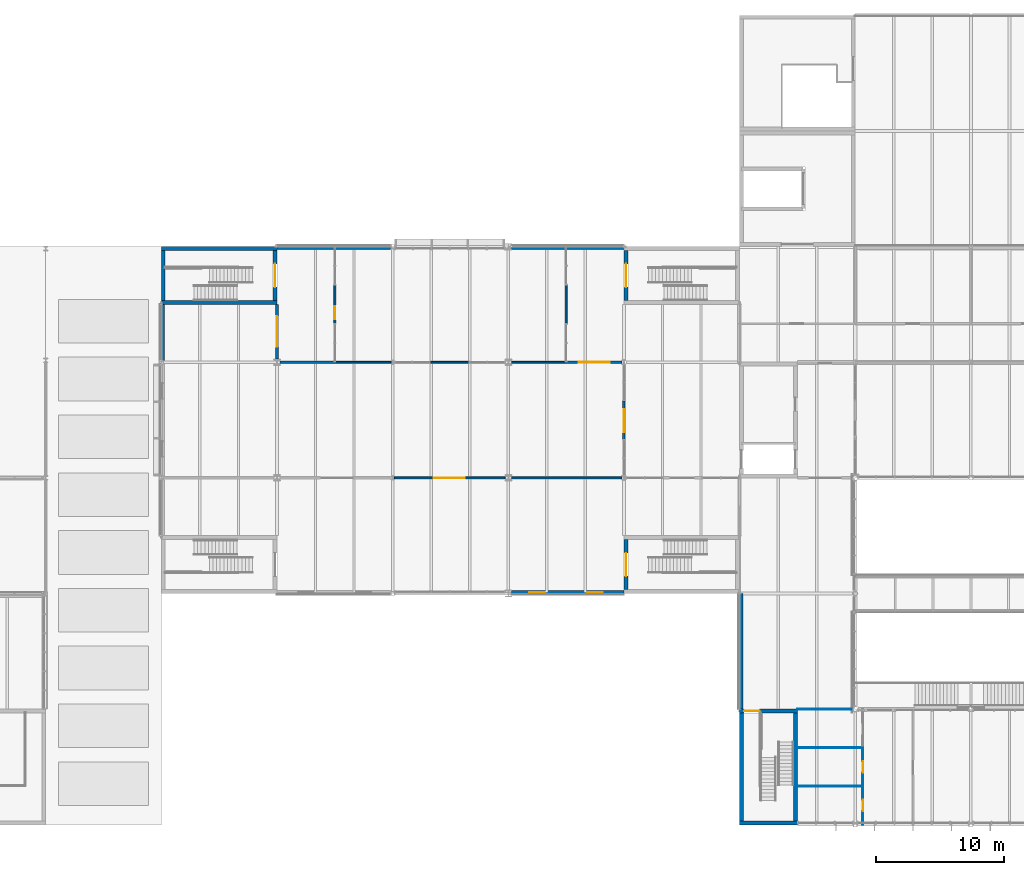
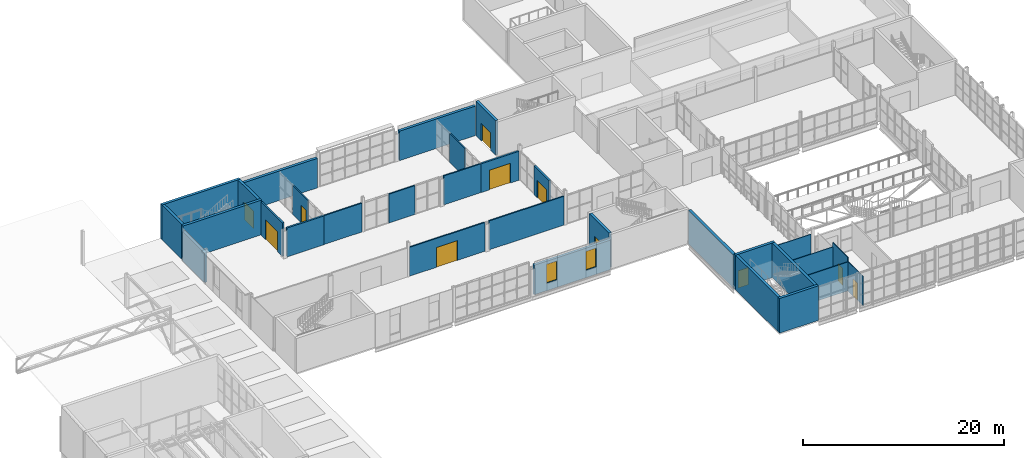
# One storey, part 42 of 61: 31 walls, 11 doors, 2 windows, 13 openings.
"""IFC4 building model written with IfcOpenShell, lengths in metres."""

import ifcopenshell
import ifcopenshell.guid

model = None  # the IFC model being written
_history = None  # IfcOwnerHistory: only IFC2X3 demands one
_inside = {}  # id of a spatial element -> (the spatial element, [elements in it])
_under = {}  # id of a project, library or spatial element -> (it, [spatial elements below it])
_declared = {}  # id of a project -> (the project, [libraries it declares])
_typed = {}  # id of a type object -> (the type object, [elements of that type])
_made_of = {}  # id of a material, layer set ... -> (it, [elements and type objects made of it])


def new_model(schema):
    """Start an empty IFC model of exactly this schema.

    Asked for "IFC4X3", IfcOpenShell would pick the latest addendum, in which some entities
    have other attributes; the version numbers below select the first issue.
    IFC2X3 requires an IfcOwnerHistory on every rooted entity: one is made here for all.
    """
    global model, _history
    if schema == "IFC4X3":
        model = ifcopenshell.file(schema_version=(4, 3, 0, 0))
    else:
        model = ifcopenshell.file(schema=schema)
    _inside.clear()
    _under.clear()
    _declared.clear()
    _typed.clear()
    _made_of.clear()
    _history = None
    if model.schema == "IFC2X3":
        org = make("IfcOrganization", Name="unknown")
        user = make(
            "IfcPersonAndOrganization",
            ThePerson=make("IfcPerson", FamilyName="unknown"),
            TheOrganization=org,
        )
        app = make(
            "IfcApplication",
            ApplicationDeveloper=org,
            Version="unknown",
            ApplicationFullName="unknown",
            ApplicationIdentifier="unknown",
        )
        _history = make(
            "IfcOwnerHistory",
            OwningUser=user,
            OwningApplication=app,
            ChangeAction="ADDED",
            CreationDate=0,
        )
    return model


def make(cls, **values):
    """One entity of the class cls with the attributes given. An attribute that is None is left unset."""
    return model.create_entity(
        cls, **{name: value for name, value in values.items() if value is not None}
    )


def rooted(cls, **values):
    """An entity with a GlobalId (a new one), such as an element, a storey or a relation."""
    return make(cls, GlobalId=ifcopenshell.guid.new(), OwnerHistory=_history, **values)


def si_unit(unit_type, name, prefix=None):
    """IfcSIUnit, for example si_unit("LENGTHUNIT", "METRE", prefix="MILLI")."""
    return make("IfcSIUnit", UnitType=unit_type, Prefix=prefix, Name=name)


def assignment(units):
    """IfcUnitAssignment: the units of a project."""
    return None if units is None else make("IfcUnitAssignment", Units=units)


def point(xyz):
    """IfcCartesianPoint."""
    return None if xyz is None else make("IfcCartesianPoint", Coordinates=xyz)


def direction(xyz):
    """IfcDirection."""
    return None if xyz is None else make("IfcDirection", DirectionRatios=xyz)


def frame(location, z_axis=None, x_axis=None):
    """IfcAxis2Placement3D, a coordinate frame: its origin and axes. An axis left out is left unset."""
    return make(
        "IfcAxis2Placement3D",
        Location=point(location),
        Axis=direction(z_axis),
        RefDirection=direction(x_axis),
    )


def frame_2d(location, x_axis=None):
    """IfcAxis2Placement2D, a coordinate frame in the plane: its origin and x axis."""
    return make(
        "IfcAxis2Placement2D", Location=point(location), RefDirection=direction(x_axis)
    )


def origin():
    """The frame at (0, 0, 0) with its axes left unset."""
    return frame((0.0, 0.0, 0.0))


def place(relative_to, where):
    """IfcLocalPlacement: puts the frame where relative to a parent placement (None: the world)."""
    return make(
        "IfcLocalPlacement", PlacementRelTo=relative_to, RelativePlacement=where
    )


def context(
    kind, dimensions, precision=None, world=None, true_north=None, identifier=None
):
    """IfcGeometricRepresentationContext, for example the 3D "Model" context."""
    return make(
        "IfcGeometricRepresentationContext",
        ContextIdentifier=identifier,
        ContextType=kind,
        CoordinateSpaceDimension=dimensions,
        Precision=precision,
        WorldCoordinateSystem=world,
        TrueNorth=true_north,
    )


def subcontext(parent, identifier, kind, view, scale=None):
    """IfcGeometricRepresentationSubContext, for example "Body" below "Model"."""
    return make(
        "IfcGeometricRepresentationSubContext",
        ContextIdentifier=identifier,
        ContextType=kind,
        ParentContext=parent,
        TargetScale=scale,
        TargetView=view,
    )


def project(units=None, contexts=None):
    """IfcProject with its units and contexts."""
    return rooted(
        "IfcProject",
        Name="project",
        RepresentationContexts=contexts,
        UnitsInContext=assignment(units),
    )


def spatial(cls, under=None, at=None, **own):
    """A site, building, storey or space (cls), placed at a placement, below another one or the project."""
    s = rooted(cls, ObjectPlacement=at, **own)
    if under is not None:
        _under.setdefault(under.id(), (under, []))[1].append(s)
    return s


def profile(cls, at=None, kind="AREA", **sizes):
    """A parametric profile (cls). Its sizes go by their IFC names, for example OverallWidth=200.0."""
    return make(cls, ProfileType=kind, Position=at, **sizes)


def rectangle(**sizes):
    """IfcRectangleProfileDef."""
    return profile("IfcRectangleProfileDef", **sizes)


def extrude(swept, where, along, depth):
    """IfcExtrudedAreaSolid: the profile swept, set in the frame where, extruded along a direction by depth."""
    return make(
        "IfcExtrudedAreaSolid",
        SweptArea=swept,
        Position=where,
        ExtrudedDirection=direction(along),
        Depth=depth,
    )


def shape(context_of_items, identifier, shape_type, items):
    """IfcShapeRepresentation: the items that make up one representation, for example the "Body"."""
    return make(
        "IfcShapeRepresentation",
        ContextOfItems=context_of_items,
        RepresentationIdentifier=identifier,
        RepresentationType=shape_type,
        Items=items,
    )


def material(Name=None, Category=None):
    """IfcMaterial."""
    return make("IfcMaterial", Name=Name, Category=Category)


def layer(
    of_material, thickness, ventilated=None, Name=None, Category=None, Priority=None
):
    """IfcMaterialLayer: one layer of a wall or slab, of a material (None: an air gap)."""
    return make(
        "IfcMaterialLayer",
        Material=of_material,
        LayerThickness=thickness,
        IsVentilated=ventilated,
        Name=Name,
        Category=Category,
        Priority=Priority,
    )


def layer_set(layers, Name=None):
    """IfcMaterialLayerSet."""
    return make("IfcMaterialLayerSet", MaterialLayers=layers, LayerSetName=Name)


def made_of(thing, what):
    """Note that an element or type object is made of a material, layer set ...; save() writes the relation."""
    if what is not None:
        _made_of.setdefault(what.id(), (what, []))[1].append(thing)
    return thing


def type_object(cls, material=None, **own):
    """A type object (cls), such as IfcWallType, which elements share."""
    return made_of(rooted(cls, **own), material)


def element(
    cls,
    number,
    at=None,
    inside=None,
    cuts=None,
    type_object=None,
    material=None,
    context=None,
    identifier="Body",
    shape_type=None,
    held_by="IfcProductDefinitionShape",
    body=None,
    shapes=None,
    **own,
):
    """One element of the class cls, such as IfcWall. Its Tag is "e" and its number.

    at: its placement. inside: the storey or other place that contains it. cuts: it is an
    opening in that element (IfcRelVoidsElement). A single representation is given by context,
    identifier, shape_type and body (its items); several are given by shapes. held_by: the class
    of the entity that holds the representations. save() writes the other relations.
    """
    e = rooted(cls, Tag="e%d" % number, ObjectPlacement=at, **own)
    if body is not None:
        shapes = [shape(context, identifier, shape_type, body)]
    if shapes is not None:
        e.Representation = make(held_by, Representations=shapes)
    if inside is not None:
        _inside.setdefault(inside.id(), (inside, []))[1].append(e)
    if cuts is not None:
        rooted(
            "IfcRelVoidsElement", RelatingBuildingElement=cuts, RelatedOpeningElement=e
        )
    if type_object is not None:
        _typed.setdefault(type_object.id(), (type_object, []))[1].append(e)
    return made_of(e, material)


def fill(opening, filler):
    """IfcRelFillsElement: the door or window that sits in an opening."""
    return rooted(
        "IfcRelFillsElement",
        RelatingOpeningElement=opening,
        RelatedBuildingElement=filler,
    )


def aggregate(whole, parts):
    """IfcRelAggregates: a whole, such as a stair, and the parts it consists of."""
    return rooted("IfcRelAggregates", RelatingObject=whole, RelatedObjects=parts)


def save(model, path):
    """Write the relations noted so far, then the file.

    IfcRelAggregates (storeys below a building ...), IfcRelContainedInSpatialStructure (elements
    in a storey), IfcRelDefinesByType, IfcRelAssociatesMaterial and IfcRelDeclares: one each for
    every whole, place, type object, material and project.
    """
    for whole, parts in _under.values():
        aggregate(whole, parts)
    for where, things in _inside.values():
        rooted(
            "IfcRelContainedInSpatialStructure",
            RelatedElements=things,
            RelatingStructure=where,
        )
    for kind, things in _typed.values():
        rooted("IfcRelDefinesByType", RelatedObjects=things, RelatingType=kind)
    for what, things in _made_of.values():
        rooted("IfcRelAssociatesMaterial", RelatedObjects=things, RelatingMaterial=what)
    for by, libraries in _declared.values():
        rooted("IfcRelDeclares", RelatingContext=by, RelatedDefinitions=libraries)
    model.write(path)


model = new_model("IFC4")

# Units and contexts
model_context = context("Model", 3, precision=1e-05, world=origin(), true_north=direction((0.0, 1.0)))
body_context = subcontext(model_context, "Body", "Model", "MODEL_VIEW")
ifc_project = project(units=[si_unit("LENGTHUNIT", "METRE"), si_unit("AREAUNIT", "SQUARE_METRE"), si_unit("VOLUMEUNIT", "CUBIC_METRE"), si_unit("PLANEANGLEUNIT", "RADIAN"), si_unit("MASSUNIT", "GRAM", prefix="KILO")], contexts=[model_context])

# Site, building, storey
site_placement = place(None, origin())
site = spatial("IfcSite", under=ifc_project, at=site_placement, CompositionType="ELEMENT")
building_placement = place(site_placement, origin())
building = spatial("IfcBuilding", under=site, at=building_placement, Name="Halyard Row Museum", CompositionType="ELEMENT")
storey_placement = place(building_placement, frame((0.0, 0.0, 9.199951171875)))
storey = spatial("IfcBuildingStorey", under=building, at=storey_placement, Name="L02", CompositionType="ELEMENT", Elevation=9.199951171875)

# Walls
ifc_material_1 = material(Name="Plasterboard on steel studs with mineral wool", Category="steel")
ifc_layer_1 = layer(ifc_material_1, 0.14990234375)
ifc_layer_set_1 = layer_set([ifc_layer_1], Name="Plasterboard on steel studs with mineral wool")
wall_type_1 = type_object("IfcWallType", Name="Acoustic stud partition 150", PredefinedType="PARTITIONING", material=ifc_layer_set_1)
wall_1_placement = place(storey_placement, frame((40.5, 36.0, 0.0), z_axis=(0.0, 0.0, 1.0), x_axis=(1.0, 0.0, 0.0)))
element("IfcWall", 1, at=wall_1_placement, inside=storey, type_object=wall_type_1, Name="Partition Permanent Gallery Textiles / Library and Research Room", PredefinedType="PARTITIONING", context=body_context, shape_type="SweptSolid", body=[
    extrude(rectangle(XDim=4.373046875, YDim=0.14990234375, at=frame_2d((2.1865234375, 0.0))), origin(), (0.0, 0.0, 1.0), 3.501953125),
])
wall_2_placement = place(storey_placement, frame((47.9384765625, 36.0, 0.0), z_axis=(0.0, 0.0, 1.0), x_axis=(1.0, 0.0, 0.0)))
element("IfcWall", 2, at=wall_2_placement, inside=storey, type_object=wall_type_1, Name="Partition Permanent Gallery Textiles / Library and Research Room", PredefinedType="PARTITIONING", context=body_context, shape_type="SweptSolid", body=[
    extrude(rectangle(XDim=3.0, YDim=0.14990234375, at=frame_2d((1.5, 0.0))), origin(), (0.0, 0.0, 1.0), 3.501953125),
])
wall_3_placement = place(storey_placement, frame((54.25, 36.0, 0.0), z_axis=(0.0, 0.0, 1.0), x_axis=(1.0, 0.0, 0.0)))
element("IfcWall", 3, at=wall_3_placement, inside=storey, type_object=wall_type_1, Name="Partition Permanent Gallery Textiles / Library and Research Room", PredefinedType="PARTITIONING", context=body_context, shape_type="SweptSolid", body=[
    extrude(rectangle(XDim=4.25, YDim=0.14990234375, at=frame_2d((2.125, 0.0))), origin(), (0.0, 0.0, 1.0), 3.501953125),
])

# Wall, opening, door
ifc_material_2 = material(Name="Plasterboard on steel studs with mineral wool", Category="steel")
ifc_layer_2 = layer(ifc_material_2, 0.14990234375)
ifc_layer_set_2 = layer_set([ifc_layer_2], Name="Plasterboard on steel studs with mineral wool")
wall_type_2 = type_object("IfcWallType", Name="Acoustic stud partition 150 fire rated", PredefinedType="PARTITIONING", material=ifc_layer_set_2)
wall_4_placement = place(storey_placement, frame((40.5, 39.0, 0.0), z_axis=(0.0, 0.0, 1.0), x_axis=(0.0, 1.0, 0.0)))
wall_4 = element("IfcWall", 4, at=wall_4_placement, inside=storey, type_object=wall_type_2, Name="Partition Library Lobby West / Library and Research Room", PredefinedType="PARTITIONING", context=body_context, shape_type="SweptSolid", body=[
    extrude(rectangle(XDim=3.0, YDim=0.14990234375, at=frame_2d((1.5, 0.0))), origin(), (0.0, 0.0, 1.0), 3.501953125),
])
opening_1_placement = place(wall_4_placement, frame((0.35009765625, 0.0, 0.0)))
opening_1 = element("IfcOpeningElement", 5, at=opening_1_placement, cuts=wall_4, Name="Opening DL02-029", PredefinedType="OPENING", context=body_context, shape_type="SweptSolid", body=[
    extrude(rectangle(XDim=1.0, YDim=2.10009765625, at=frame_2d((0.5, 1.050048828125))), frame((0.0, 0.0849609375, 0.0), z_axis=(0.0, -1.0, 0.0), x_axis=(1.0, 0.0, 0.0)), (0.0, 0.0, 1.0), 0.169921875),
])
ifc_material_3 = material(Name="Timber veneered door leaf and softwood frame", Category="wood")
door_type_1 = type_object("IfcDoorType", Name="Single door 1000 x 2100 fire rated", OperationType="NOTDEFINED", PredefinedType="DOOR", material=ifc_material_3)
door_1_placement = place(opening_1_placement, frame((1.0, 0.0, 0.0), z_axis=(0.0, 0.0, 1.0), x_axis=(-1.0, 0.0, 0.0)))
door_1 = element("IfcDoor", 6, at=door_1_placement, inside=storey, type_object=door_type_1, Name="Door Library and Research Room to Library Lobby West", OperationType="SINGLE_SWING_LEFT", OverallHeight=2.10009765625, OverallWidth=1.0, PredefinedType="DOOR", context=body_context, shape_type="SweptSolid", body=[
    extrude(rectangle(XDim=1.0, YDim=2.10009765625, at=frame_2d((0.5, 1.050048828125))), frame((0.0, 0.02490234375, 0.0), z_axis=(0.0, -1.0, 0.0), x_axis=(1.0, 0.0, 0.0)), (0.0, 0.0, 1.0), 0.050048828125),
])
fill(opening_1, door_1)

# Walls
wall_5_placement = place(storey_placement, frame((58.5, 39.0, 0.0), z_axis=(0.0, 0.0, 1.0), x_axis=(0.0, 1.0, 0.0)))
element("IfcWall", 7, at=wall_5_placement, inside=storey, type_object=wall_type_2, Name="Partition Library and Research Room / Library Lobby East", PredefinedType="PARTITIONING", context=body_context, shape_type="SweptSolid", body=[
    extrude(rectangle(XDim=3.0, YDim=0.14990234375, at=frame_2d((1.5, 0.0))), origin(), (0.0, 0.0, 1.0), 3.501953125),
])
ifc_material_4 = material(Name="Timber battens on insulated steel-stud wall", Category="steel")
ifc_layer_3 = layer(ifc_material_4, 0.320068359375)
ifc_layer_set_3 = layer_set([ifc_layer_3], Name="Timber battens on insulated steel-stud wall")
wall_type_3 = type_object("IfcWallType", Name="Batten rainscreen wall 320 deep reveal", PredefinedType="SOLIDWALL", material=ifc_layer_set_3)
wall_6_placement = place(storey_placement, frame((72.10009765625, 9.0, 0.0), z_axis=(0.0, 0.0, 1.0), x_axis=(0.0, 1.0, 0.0)))
element("IfcWall", 8, at=wall_6_placement, inside=storey, type_object=wall_type_3, Name="Wall WL02-811", PredefinedType="SOLIDWALL", context=body_context, shape_type="SweptSolid", body=[
    extrude(rectangle(XDim=9.0, YDim=0.320068359375, at=frame_2d((4.5, 0.0))), origin(), (0.0, 0.0, 1.0), 4.03515625),
])
ifc_material_5 = material(Name="Concrete 40 MPa", Category="concrete")
ifc_layer_4 = layer(ifc_material_5, 0.300048828125)
ifc_layer_set_4 = layer_set([ifc_layer_4], Name="Concrete 40 MPa")
wall_type_4 = type_object("IfcWallType", Name="Exitway wall 300 reinforced concrete", PredefinedType="SOLIDWALL", material=ifc_layer_set_4)
wall_7_placement = place(storey_placement, frame((27.0, 40.64990234375, 0.0), z_axis=(0.0, 0.0, 1.0), x_axis=(1.0, 0.0, 0.0)))
element("IfcWall", 9, at=wall_7_placement, inside=storey, type_object=wall_type_4, Name="Core wall K1A S L02", PredefinedType="SOLIDWALL", context=body_context, shape_type="SweptSolid", body=[
    extrude(rectangle(XDim=9.0, YDim=0.300048828125, at=frame_2d((4.5, 0.0))), origin(), (0.0, 0.0, 1.0), 4.199951171875),
])

# Wall, opening, door
wall_8_placement = place(storey_placement, frame((35.85009765625, 40.800048828125, 0.0), z_axis=(0.0, 0.0, 1.0), x_axis=(0.0, 1.0, 0.0)))
wall_8 = element("IfcWall", 10, at=wall_8_placement, inside=storey, type_object=wall_type_4, Name="Core wall K1A E L02", PredefinedType="SOLIDWALL", context=body_context, shape_type="SweptSolid", body=[
    extrude(rectangle(XDim=3.89990234375, YDim=0.300048828125, at=frame_2d((1.949951171875, 0.0))), origin(), (0.0, 0.0, 1.0), 4.199951171875),
])
opening_2_placement = place(wall_8_placement, frame((1.050048828125, 0.0, 0.0)))
opening_2 = element("IfcOpeningElement", 11, at=opening_2_placement, cuts=wall_8, Name="Opening DL02-001", PredefinedType="OPENING", context=body_context, shape_type="SweptSolid", body=[
    extrude(rectangle(XDim=1.800048828125, YDim=2.10009765625, at=frame_2d((0.89990234375, 1.050048828125))), frame((0.0, 0.159912109375, 0.0), z_axis=(0.0, -1.0, 0.0), x_axis=(1.0, 0.0, 0.0)), (0.0, 0.0, 1.0), 0.320068359375),
])
ifc_material_6 = material(Name="Fire-resisting timber door leaf and steel frame", Category="steel")
door_type_2 = type_object("IfcDoorType", Name="Exitway door 1800 x 2100 fire rated", OperationType="NOTDEFINED", PredefinedType="DOOR", material=ifc_material_6)
door_2_placement = place(opening_2_placement, origin())
door_2 = element("IfcDoor", 12, at=door_2_placement, inside=storey, type_object=door_type_2, Name="Exitway door K1A L02", OperationType="DOUBLE_DOOR_SINGLE_SWING", OverallHeight=2.10009765625, OverallWidth=1.800048828125, PredefinedType="DOOR", context=body_context, shape_type="SweptSolid", body=[
    extrude(rectangle(XDim=1.800048828125, YDim=2.10009765625, at=frame_2d((0.89990234375, 1.050048828125))), frame((0.0, 0.02490234375, 0.0), z_axis=(0.0, -1.0, 0.0), x_axis=(1.0, 0.0, 0.0)), (0.0, 0.0, 1.0), 0.050048828125),
])
fill(opening_2, door_2)

# Walls
wall_9_placement = place(storey_placement, frame((27.0, 44.85009765625, 0.0), z_axis=(0.0, 0.0, 1.0), x_axis=(1.0, 0.0, 0.0)))
element("IfcWall", 13, at=wall_9_placement, inside=storey, type_object=wall_type_4, Name="Core wall K1A N L02", PredefinedType="SOLIDWALL", context=body_context, shape_type="SweptSolid", body=[
    extrude(rectangle(XDim=9.0, YDim=0.300048828125, at=frame_2d((4.5, 0.0))), origin(), (0.0, 0.0, 1.0), 4.199951171875),
])
wall_10_placement = place(storey_placement, frame((27.14990234375, 40.800048828125, 0.0), z_axis=(0.0, 0.0, 1.0), x_axis=(0.0, 1.0, 0.0)))
element("IfcWall", 14, at=wall_10_placement, inside=storey, type_object=wall_type_4, Name="Core wall K1A W L02", PredefinedType="SOLIDWALL", context=body_context, shape_type="SweptSolid", body=[
    extrude(rectangle(XDim=3.89990234375, YDim=0.300048828125, at=frame_2d((1.949951171875, 0.0))), origin(), (0.0, 0.0, 1.0), 4.199951171875),
])

# Wall, opening, door
wall_11_placement = place(storey_placement, frame((63.14990234375, 40.800048828125, 0.0), z_axis=(0.0, 0.0, 1.0), x_axis=(0.0, 1.0, 0.0)))
wall_11 = element("IfcWall", 15, at=wall_11_placement, inside=storey, type_object=wall_type_4, Name="Core wall K1B W L02", PredefinedType="SOLIDWALL", context=body_context, shape_type="SweptSolid", body=[
    extrude(rectangle(XDim=3.89990234375, YDim=0.300048828125, at=frame_2d((1.949951171875, 0.0))), origin(), (0.0, 0.0, 1.0), 4.199951171875),
])
opening_3_placement = place(wall_11_placement, frame((1.050048828125, 0.0, 0.0)))
opening_3 = element("IfcOpeningElement", 16, at=opening_3_placement, cuts=wall_11, Name="Opening DL02-002", PredefinedType="OPENING", context=body_context, shape_type="SweptSolid", body=[
    extrude(rectangle(XDim=1.800048828125, YDim=2.10009765625, at=frame_2d((0.89990234375, 1.050048828125))), frame((0.0, 0.159912109375, 0.0), z_axis=(0.0, -1.0, 0.0), x_axis=(1.0, 0.0, 0.0)), (0.0, 0.0, 1.0), 0.320068359375),
])
door_3_placement = place(opening_3_placement, frame((1.800048828125, 0.0, 0.0), z_axis=(0.0, 0.0, 1.0), x_axis=(-1.0, 0.0, 0.0)))
door_3 = element("IfcDoor", 17, at=door_3_placement, inside=storey, type_object=door_type_2, Name="Exitway door K1B L02", OperationType="DOUBLE_DOOR_SINGLE_SWING", OverallHeight=2.10009765625, OverallWidth=1.800048828125, PredefinedType="DOOR", context=body_context, shape_type="SweptSolid", body=[
    extrude(rectangle(XDim=1.800048828125, YDim=2.10009765625, at=frame_2d((0.89990234375, 1.050048828125))), frame((0.0, 0.02490234375, 0.0), z_axis=(0.0, -1.0, 0.0), x_axis=(1.0, 0.0, 0.0)), (0.0, 0.0, 1.0), 0.050048828125),
])
fill(opening_3, door_3)

wall_12_placement = place(storey_placement, frame((63.14990234375, 18.300048828125, 0.0), z_axis=(0.0, 0.0, 1.0), x_axis=(0.0, 1.0, 0.0)))
wall_12 = element("IfcWall", 18, at=wall_12_placement, inside=storey, type_object=wall_type_4, Name="Core wall K1C W L02", PredefinedType="SOLIDWALL", context=body_context, shape_type="SweptSolid", body=[
    extrude(rectangle(XDim=3.89990234375, YDim=0.300048828125, at=frame_2d((1.949951171875, 0.0))), origin(), (0.0, 0.0, 1.0), 4.199951171875),
])
opening_4_placement = place(wall_12_placement, frame((1.050048828125, 0.0, 0.0)))
opening_4 = element("IfcOpeningElement", 19, at=opening_4_placement, cuts=wall_12, Name="Opening DL02-003", PredefinedType="OPENING", context=body_context, shape_type="SweptSolid", body=[
    extrude(rectangle(XDim=1.800048828125, YDim=2.10009765625, at=frame_2d((0.89990234375, 1.050048828125))), frame((0.0, 0.159912109375, 0.0), z_axis=(0.0, -1.0, 0.0), x_axis=(1.0, 0.0, 0.0)), (0.0, 0.0, 1.0), 0.320068359375),
])
door_4_placement = place(opening_4_placement, frame((1.800048828125, 0.0, 0.0), z_axis=(0.0, 0.0, 1.0), x_axis=(-1.0, 0.0, 0.0)))
door_4 = element("IfcDoor", 20, at=door_4_placement, inside=storey, type_object=door_type_2, Name="Exitway door K1C L02", OperationType="DOUBLE_DOOR_SINGLE_SWING", OverallHeight=2.10009765625, OverallWidth=1.800048828125, PredefinedType="DOOR", context=body_context, shape_type="SweptSolid", body=[
    extrude(rectangle(XDim=1.800048828125, YDim=2.10009765625, at=frame_2d((0.89990234375, 1.050048828125))), frame((0.0, 0.02490234375, 0.0), z_axis=(0.0, -1.0, 0.0), x_axis=(1.0, 0.0, 0.0)), (0.0, 0.0, 1.0), 0.050048828125),
])
fill(opening_4, door_4)

# Walls
wall_13_placement = place(storey_placement, frame((72.0, 0.14990234375, 0.0), z_axis=(0.0, 0.0, 1.0), x_axis=(1.0, 0.0, 0.0)))
element("IfcWall", 21, at=wall_13_placement, inside=storey, type_object=wall_type_4, Name="Core wall K2A S L02", PredefinedType="SOLIDWALL", context=body_context, shape_type="SweptSolid", body=[
    extrude(rectangle(XDim=4.5, YDim=0.300048828125, at=frame_2d((2.25, 0.0))), origin(), (0.0, 0.0, 1.0), 4.199951171875),
])
wall_14_placement = place(storey_placement, frame((76.35009765625, 0.300048828125, 0.0), z_axis=(0.0, 0.0, 1.0), x_axis=(0.0, 1.0, 0.0)))
element("IfcWall", 22, at=wall_14_placement, inside=storey, type_object=wall_type_4, Name="Core wall K2A E L02", PredefinedType="SOLIDWALL", context=body_context, shape_type="SweptSolid", body=[
    extrude(rectangle(XDim=8.39990234375, YDim=0.300048828125, at=frame_2d((4.199951171875, 0.0))), origin(), (0.0, 0.0, 1.0), 4.199951171875),
])

# Wall, opening, door
wall_15_placement = place(storey_placement, frame((72.0, 8.85009765625, 0.0), z_axis=(0.0, 0.0, 1.0), x_axis=(1.0, 0.0, 0.0)))
wall_15 = element("IfcWall", 23, at=wall_15_placement, inside=storey, type_object=wall_type_4, Name="Core wall K2A N L02", PredefinedType="SOLIDWALL", context=body_context, shape_type="SweptSolid", body=[
    extrude(rectangle(XDim=4.5, YDim=0.300048828125, at=frame_2d((2.25, 0.0))), origin(), (0.0, 0.0, 1.0), 4.199951171875),
])
opening_5_placement = place(wall_15_placement, frame((0.35009765625, 0.0, 0.0)))
opening_5 = element("IfcOpeningElement", 24, at=opening_5_placement, cuts=wall_15, Name="Opening DL02-005", PredefinedType="OPENING", context=body_context, shape_type="SweptSolid", body=[
    extrude(rectangle(XDim=1.199951171875, YDim=2.10009765625, at=frame_2d((0.60009765625, 1.050048828125))), frame((0.0, 0.159912109375, 0.0), z_axis=(0.0, -1.0, 0.0), x_axis=(1.0, 0.0, 0.0)), (0.0, 0.0, 1.0), 0.320068359375),
])
ifc_material_7 = material(Name="Fire-resisting timber door leaf and steel frame", Category="steel")
door_type_3 = type_object("IfcDoorType", Name="Exitway door 1200 x 2100 fire rated", OperationType="NOTDEFINED", PredefinedType="DOOR", material=ifc_material_7)
door_5_placement = place(opening_5_placement, frame((1.199951171875, 0.0, 0.0), z_axis=(0.0, 0.0, 1.0), x_axis=(-1.0, 0.0, 0.0)))
door_5 = element("IfcDoor", 25, at=door_5_placement, inside=storey, type_object=door_type_3, Name="Exitway door K2A L02", OperationType="SINGLE_SWING_LEFT", OverallHeight=2.10009765625, OverallWidth=1.199951171875, PredefinedType="DOOR", context=body_context, shape_type="SweptSolid", body=[
    extrude(rectangle(XDim=1.199951171875, YDim=2.10009765625, at=frame_2d((0.60009765625, 1.050048828125))), frame((0.0, 0.02490234375, 0.0), z_axis=(0.0, -1.0, 0.0), x_axis=(1.0, 0.0, 0.0)), (0.0, 0.0, 1.0), 0.050048828125),
])
fill(opening_5, door_5)

# Wall
wall_16_placement = place(storey_placement, frame((72.14990234375, 0.300048828125, 0.0), z_axis=(0.0, 0.0, 1.0), x_axis=(0.0, 1.0, 0.0)))
element("IfcWall", 26, at=wall_16_placement, inside=storey, type_object=wall_type_4, Name="Core wall K2A W L02", PredefinedType="SOLIDWALL", context=body_context, shape_type="SweptSolid", body=[
    extrude(rectangle(XDim=8.39990234375, YDim=0.300048828125, at=frame_2d((4.199951171875, 0.0))), origin(), (0.0, 0.0, 1.0), 4.199951171875),
])

# Wall, opening, door
ifc_material_8 = material(Name="Plasterboard on steel studs with mineral wool", Category="steel")
ifc_layer_5 = layer(ifc_material_8, 0.14990234375)
ifc_layer_set_5 = layer_set([ifc_layer_5], Name="Plasterboard on steel studs with mineral wool")
wall_type_5 = type_object("IfcWallType", Name="Gallery wall 150", PredefinedType="PARTITIONING", material=ifc_layer_set_5)
wall_17_placement = place(storey_placement, frame((45.126953125, 27.0, 0.0), z_axis=(0.0, 0.0, 1.0), x_axis=(1.0, 0.0, 0.0)))
wall_17 = element("IfcWall", 27, at=wall_17_placement, inside=storey, type_object=wall_type_5, Name="Partition Permanent Gallery Craft / Permanent Gallery Textiles", PredefinedType="PARTITIONING", context=body_context, shape_type="SweptSolid", body=[
    extrude(rectangle(XDim=8.623046875, YDim=0.14990234375, at=frame_2d((4.3115234375, 0.0))), origin(), (0.0, 0.0, 1.0), 3.501953125),
])
opening_6_placement = place(wall_17_placement, frame((3.0849609375, 0.0, 0.0)))
opening_6 = element("IfcOpeningElement", 28, at=opening_6_placement, cuts=wall_17, Name="Opening DL02-016", PredefinedType="OPENING", context=body_context, shape_type="SweptSolid", body=[
    extrude(rectangle(XDim=2.39990234375, YDim=2.39990234375, at=frame_2d((1.199951171875, 1.199951171875))), frame((0.0, 0.0849609375, 0.0), z_axis=(0.0, -1.0, 0.0), x_axis=(1.0, 0.0, 0.0)), (0.0, 0.0, 1.0), 0.169921875),
])
ifc_material_9 = material(Name="Timber veneered door leaf and softwood frame", Category="wood")
door_type_4 = type_object("IfcDoorType", Name="Double door 2400 x 2400 gallery", OperationType="NOTDEFINED", PredefinedType="DOOR", material=ifc_material_9)
door_6_placement = place(opening_6_placement, origin())
door_6 = element("IfcDoor", 29, at=door_6_placement, inside=storey, type_object=door_type_4, Name="Door Permanent Gallery Craft to Permanent Gallery Textiles", OperationType="DOUBLE_DOOR_SINGLE_SWING", OverallHeight=2.39990234375, OverallWidth=2.39990234375, PredefinedType="DOOR", context=body_context, shape_type="SweptSolid", body=[
    extrude(rectangle(XDim=2.39990234375, YDim=2.39990234375, at=frame_2d((1.199951171875, 1.199951171875))), frame((0.0, 0.02490234375, 0.0), z_axis=(0.0, -1.0, 0.0), x_axis=(1.0, 0.0, 0.0)), (0.0, 0.0, 1.0), 0.050048828125),
])
fill(opening_6, door_6)

# Wall
wall_18_placement = place(storey_placement, frame((54.25, 27.0, 0.0), z_axis=(0.0, 0.0, 1.0), x_axis=(1.0, 0.0, 0.0)))
element("IfcWall", 30, at=wall_18_placement, inside=storey, type_object=wall_type_5, Name="Partition Permanent Gallery Craft / Permanent Gallery Textiles", PredefinedType="PARTITIONING", context=body_context, shape_type="SweptSolid", body=[
    extrude(rectangle(XDim=8.597412109375, YDim=0.14990234375, at=frame_2d((4.298828125, 0.0))), origin(), (0.0, 0.0, 1.0), 3.501953125),
])

# Wall, opening, door
ifc_material_10 = material(Name="Plasterboard on steel studs with mineral wool", Category="steel")
ifc_layer_6 = layer(ifc_material_10, 0.199951171875)
ifc_layer_set_6 = layer_set([ifc_layer_6], Name="Plasterboard on steel studs with mineral wool")
wall_type_6 = type_object("IfcWallType", Name="Gallery wall 200 double stud fire rated", PredefinedType="PARTITIONING", material=ifc_layer_set_6)
wall_19_placement = place(storey_placement, frame((36.0, 36.239990234375, 0.0), z_axis=(0.0, 0.0, 1.0), x_axis=(0.0, 1.0, 0.0)))
wall_19 = element("IfcWall", 31, at=wall_19_placement, inside=storey, type_object=wall_type_6, Name="Partition Permanent Gallery Textiles / Library Lobby West", PredefinedType="PARTITIONING", context=body_context, shape_type="SweptSolid", body=[
    extrude(rectangle(XDim=4.260009765625, YDim=0.199951171875, at=frame_2d((2.1298828125, 0.0))), origin(), (0.0, 0.0, 1.0), 4.03515625),
])
opening_7_placement = place(wall_19_placement, frame((0.949951171875, 0.0, 0.0)))
opening_7 = element("IfcOpeningElement", 32, at=opening_7_placement, cuts=wall_19, Name="Opening DL02-018", PredefinedType="OPENING", context=body_context, shape_type="SweptSolid", body=[
    extrude(rectangle(XDim=2.39990234375, YDim=2.39990234375, at=frame_2d((1.199951171875, 1.199951171875))), frame((0.0, 0.10986328125, 0.0), z_axis=(0.0, -1.0, 0.0), x_axis=(1.0, 0.0, 0.0)), (0.0, 0.0, 1.0), 0.219970703125),
])
ifc_material_11 = material(Name="Timber veneered door leaf and softwood frame", Category="wood")
door_type_5 = type_object("IfcDoorType", Name="Double door 2400 x 2400 gallery fire rated", OperationType="NOTDEFINED", PredefinedType="DOOR", material=ifc_material_11)
door_7_placement = place(opening_7_placement, frame((2.39990234375, 0.0, 0.0), z_axis=(0.0, 0.0, 1.0), x_axis=(-1.0, 0.0, 0.0)))
door_7 = element("IfcDoor", 33, at=door_7_placement, inside=storey, type_object=door_type_5, Name="Door Permanent Gallery Textiles to Library Lobby West", OperationType="DOUBLE_DOOR_SINGLE_SWING", OverallHeight=2.39990234375, OverallWidth=2.39990234375, PredefinedType="DOOR", context=body_context, shape_type="SweptSolid", body=[
    extrude(rectangle(XDim=2.39990234375, YDim=2.39990234375, at=frame_2d((1.199951171875, 1.199951171875))), frame((0.0, 0.02490234375, 0.0), z_axis=(0.0, -1.0, 0.0), x_axis=(1.0, 0.0, 0.0)), (0.0, 0.0, 1.0), 0.050048828125),
])
fill(opening_7, door_7)

# Wall
wall_20_placement = place(storey_placement, frame((36.25, 36.0, 0.0), z_axis=(0.0, 0.0, 1.0), x_axis=(1.0, 0.0, 0.0)))
element("IfcWall", 34, at=wall_20_placement, inside=storey, type_object=wall_type_6, Name="Partition Permanent Gallery Textiles / Library Lobby West", PredefinedType="PARTITIONING", context=body_context, shape_type="SweptSolid", body=[
    extrude(rectangle(XDim=4.25, YDim=0.199951171875, at=frame_2d((2.125, 0.0))), origin(), (0.0, 0.0, 1.0), 3.501953125),
])

# Wall, opening, door
wall_21_placement = place(storey_placement, frame((58.5, 36.0, 0.0), z_axis=(0.0, 0.0, 1.0), x_axis=(1.0, 0.0, 0.0)))
wall_21 = element("IfcWall", 35, at=wall_21_placement, inside=storey, type_object=wall_type_6, Name="Partition Permanent Gallery Textiles / Library Lobby East", PredefinedType="PARTITIONING", context=body_context, shape_type="SweptSolid", body=[
    extrude(rectangle(XDim=4.347412109375, YDim=0.199951171875, at=frame_2d((2.173828125, 0.0))), origin(), (0.0, 0.0, 1.0), 3.501953125),
])
opening_8_placement = place(wall_21_placement, frame((0.985107421875, 0.0, 0.0)))
opening_8 = element("IfcOpeningElement", 36, at=opening_8_placement, cuts=wall_21, Name="Opening DL02-019", PredefinedType="OPENING", context=body_context, shape_type="SweptSolid", body=[
    extrude(rectangle(XDim=2.39990234375, YDim=2.39990234375, at=frame_2d((1.199951171875, 1.199951171875))), frame((0.0, 0.10986328125, 0.0), z_axis=(0.0, -1.0, 0.0), x_axis=(1.0, 0.0, 0.0)), (0.0, 0.0, 1.0), 0.219970703125),
])
door_8_placement = place(opening_8_placement, frame((2.39990234375, 0.0, 0.0), z_axis=(0.0, 0.0, 1.0), x_axis=(-1.0, 0.0, 0.0)))
door_8 = element("IfcDoor", 37, at=door_8_placement, inside=storey, type_object=door_type_5, Name="Door Permanent Gallery Textiles to Library Lobby East", OperationType="DOUBLE_DOOR_SINGLE_SWING", OverallHeight=2.39990234375, OverallWidth=2.39990234375, PredefinedType="DOOR", context=body_context, shape_type="SweptSolid", body=[
    extrude(rectangle(XDim=2.39990234375, YDim=2.39990234375, at=frame_2d((1.199951171875, 1.199951171875))), frame((0.0, 0.02490234375, 0.0), z_axis=(0.0, -1.0, 0.0), x_axis=(1.0, 0.0, 0.0)), (0.0, 0.0, 1.0), 0.050048828125),
])
fill(opening_8, door_8)

wall_22_placement = place(storey_placement, frame((63.0, 30.0, 0.0), z_axis=(0.0, 0.0, 1.0), x_axis=(0.0, 1.0, 0.0)))
wall_22 = element("IfcWall", 38, at=wall_22_placement, inside=storey, type_object=wall_type_6, Name="Partition Permanent Gallery Textiles / Lift Lobby L02 West", PredefinedType="PARTITIONING", context=body_context, shape_type="SweptSolid", body=[
    extrude(rectangle(XDim=3.0, YDim=0.199951171875, at=frame_2d((1.5, 0.0))), origin(), (0.0, 0.0, 1.0), 3.501953125),
])
opening_9_placement = place(wall_22_placement, frame((0.550048828125, 0.0, 0.0)))
opening_9 = element("IfcOpeningElement", 39, at=opening_9_placement, cuts=wall_22, Name="Opening DL02-020", PredefinedType="OPENING", context=body_context, shape_type="SweptSolid", body=[
    extrude(rectangle(XDim=1.800048828125, YDim=2.10009765625, at=frame_2d((0.89990234375, 1.050048828125))), frame((0.0, 0.10986328125, 0.0), z_axis=(0.0, -1.0, 0.0), x_axis=(1.0, 0.0, 0.0)), (0.0, 0.0, 1.0), 0.219970703125),
])
ifc_material_12 = material(Name="Timber veneered door leaf and softwood frame", Category="wood")
door_type_6 = type_object("IfcDoorType", Name="Double door 1800 x 2100 fire rated", OperationType="NOTDEFINED", PredefinedType="DOOR", material=ifc_material_12)
door_9_placement = place(opening_9_placement, origin())
door_9 = element("IfcDoor", 40, at=door_9_placement, inside=storey, type_object=door_type_6, Name="Door Permanent Gallery Textiles to Lift Lobby L02 West", OperationType="DOUBLE_DOOR_SINGLE_SWING", OverallHeight=2.10009765625, OverallWidth=1.800048828125, PredefinedType="DOOR", context=body_context, shape_type="SweptSolid", body=[
    extrude(rectangle(XDim=1.800048828125, YDim=2.10009765625, at=frame_2d((0.89990234375, 1.050048828125))), frame((0.0, 0.02490234375, 0.0), z_axis=(0.0, -1.0, 0.0), x_axis=(1.0, 0.0, 0.0)), (0.0, 0.0, 1.0), 0.050048828125),
])
fill(opening_9, door_9)

# Walls
ifc_material_13 = material(Name="Fire-retardant timber rainscreen on insulated steel-stud wall", Category="steel")
ifc_layer_7 = layer(ifc_material_13, 0.300048828125)
ifc_layer_set_7 = layer_set([ifc_layer_7], Name="Fire-retardant timber rainscreen on insulated steel-stud wall")
wall_type_7 = type_object("IfcWallType", Name="Rainscreen wall 300 timber-clad", PredefinedType="SOLIDWALL", material=ifc_layer_set_7)
wall_23_placement = place(storey_placement, frame((54.25, 44.909912109375, 0.0), z_axis=(0.0, 0.0, 1.0), x_axis=(1.0, 0.0, 0.0)))
element("IfcWall", 41, at=wall_23_placement, inside=storey, type_object=wall_type_7, Name="Wall WL02-804", PredefinedType="SOLIDWALL", context=body_context, shape_type="SweptSolid", body=[
    extrude(rectangle(XDim=8.75, YDim=0.300048828125, at=frame_2d((4.375, 0.0))), origin(), (0.0, 0.0, 1.0), 3.57763671875),
])
wall_24_placement = place(storey_placement, frame((36.0, 44.909912109375, 0.0), z_axis=(0.0, 0.0, 1.0), x_axis=(1.0, 0.0, 0.0)))
element("IfcWall", 42, at=wall_24_placement, inside=storey, type_object=wall_type_7, Name="Wall WL02-805", PredefinedType="SOLIDWALL", context=body_context, shape_type="SweptSolid", body=[
    extrude(rectangle(XDim=8.85009765625, YDim=0.300048828125, at=frame_2d((4.425048828125, 0.0))), origin(), (0.0, 0.0, 1.0), 3.57763671875),
])
wall_25_placement = place(storey_placement, frame((27.090087890625, 36.14990234375, 0.0), z_axis=(0.0, 0.0, 1.0), x_axis=(0.0, 1.0, 0.0)))
element("IfcWall", 43, at=wall_25_placement, inside=storey, type_object=wall_type_7, Name="Wall WL02-806", PredefinedType="SOLIDWALL", context=body_context, shape_type="SweptSolid", body=[
    extrude(rectangle(XDim=4.35009765625, YDim=0.300048828125, at=frame_2d((2.175048828125, 0.0))), origin(), (0.0, 0.0, 1.0), 3.57763671875),
])

# Wall, openings, windows
wall_26_placement = place(storey_placement, frame((54.25, 18.090087890625, 0.0), z_axis=(0.0, 0.0, 1.0), x_axis=(1.0, 0.0, 0.0)))
wall_26 = element("IfcWall", 44, at=wall_26_placement, inside=storey, type_object=wall_type_7, Name="Wall WL02-810", PredefinedType="SOLIDWALL", context=body_context, shape_type="SweptSolid", body=[
    extrude(rectangle(XDim=8.75, YDim=0.300048828125, at=frame_2d((4.375, 0.0))), origin(), (0.0, 0.0, 1.0), 3.57763671875),
])
opening_10_placement = place(wall_26_placement, frame((1.39990234375, 0.0, 0.89990234375)))
opening_10 = element("IfcOpeningElement", 45, at=opening_10_placement, cuts=wall_26, Name="Opening WNL02-804", PredefinedType="OPENING", context=body_context, shape_type="SweptSolid", body=[
    extrude(rectangle(XDim=1.199951171875, YDim=2.300048828125, at=frame_2d((0.60009765625, 1.14990234375))), frame((0.0, 0.159912109375, 0.0), z_axis=(0.0, -1.0, 0.0), x_axis=(1.0, 0.0, 0.0)), (0.0, 0.0, 1.0), 0.320068359375),
])
opening_11_placement = place(wall_26_placement, frame((5.89990234375, 0.0, 0.89990234375)))
opening_11 = element("IfcOpeningElement", 46, at=opening_11_placement, cuts=wall_26, Name="Opening WNL02-805", PredefinedType="OPENING", context=body_context, shape_type="SweptSolid", body=[
    extrude(rectangle(XDim=1.199951171875, YDim=2.300048828125, at=frame_2d((0.60009765625, 1.14990234375))), frame((0.0, 0.159912109375, 0.0), z_axis=(0.0, -1.0, 0.0), x_axis=(1.0, 0.0, 0.0)), (0.0, 0.0, 1.0), 0.320068359375),
])
ifc_material_14 = material(Name="Double glazed unit, low-emissivity", Category="glass")
window_type = type_object("IfcWindowType", Name="Window WN1 1200 x 2300", PartitioningType="SINGLE_PANEL", PredefinedType="WINDOW", material=ifc_material_14)
window_1_placement = place(opening_10_placement, origin())
window_1 = element("IfcWindow", 47, at=window_1_placement, inside=storey, type_object=window_type, Name="Window WNL02-804", OverallHeight=2.300048828125, OverallWidth=1.199951171875, PartitioningType="SINGLE_PANEL", PredefinedType="WINDOW", context=body_context, shape_type="SweptSolid", body=[
    extrude(rectangle(XDim=1.199951171875, YDim=2.300048828125, at=frame_2d((0.60009765625, 1.14990234375))), frame((0.0, 0.030029296875, 0.0), z_axis=(0.0, -1.0, 0.0), x_axis=(1.0, 0.0, 0.0)), (0.0, 0.0, 1.0), 0.06005859375),
])
fill(opening_10, window_1)
window_2_placement = place(opening_11_placement, origin())
window_2 = element("IfcWindow", 48, at=window_2_placement, inside=storey, type_object=window_type, Name="Window WNL02-805", OverallHeight=2.300048828125, OverallWidth=1.199951171875, PartitioningType="SINGLE_PANEL", PredefinedType="WINDOW", context=body_context, shape_type="SweptSolid", body=[
    extrude(rectangle(XDim=1.199951171875, YDim=2.300048828125, at=frame_2d((0.60009765625, 1.14990234375))), frame((0.0, 0.030029296875, 0.0), z_axis=(0.0, -1.0, 0.0), x_axis=(1.0, 0.0, 0.0)), (0.0, 0.0, 1.0), 0.06005859375),
])
fill(opening_11, window_2)

# Walls
ifc_material_15 = material(Name="Plasterboard on steel studs with mineral wool", Category="steel")
ifc_layer_8 = layer(ifc_material_15, 0.074951171875)
ifc_layer_set_8 = layer_set([ifc_layer_8], Name="Plasterboard on steel studs with mineral wool")
wall_type_8 = type_object("IfcWallType", Name="WC cubicle partition 75", PredefinedType="PARTITIONING", material=ifc_layer_set_8)
wall_27_placement = place(storey_placement, frame((76.5, 9.0, 0.0), z_axis=(0.0, 0.0, 1.0), x_axis=(1.0, 0.0, 0.0)))
element("IfcWall", 49, at=wall_27_placement, inside=storey, type_object=wall_type_8, Name="Partition Permanent Gallery Settlement L02 / Accessible WC L02", PredefinedType="PARTITIONING", context=body_context, shape_type="SweptSolid", body=[
    extrude(rectangle(XDim=4.296875, YDim=0.074951171875, at=frame_2d((2.1484375, 0.0))), origin(), (0.0, 0.0, 1.0), 3.501953125),
])
for number, where, z_axis, x_axis, name in (
    (50, (76.5, 3.0, 0.0), (0.0, 0.0, 1.0), (1.0, 0.0, 0.0), "Partition WC Women L02 / WC Men L02"),
    (51, (76.5, 6.0, 0.0), (0.0, 0.0, 1.0), (1.0, 0.0, 0.0), "Partition WC Men L02 / Accessible WC L02"),
):
    element("IfcWall", number, at=place(storey_placement, frame(where, z_axis=z_axis, x_axis=x_axis)), inside=storey, type_object=wall_type_8, Name=name, PredefinedType="PARTITIONING", context=body_context, shape_type="SweptSolid", body=[
        extrude(rectangle(XDim=5.10009765625, YDim=0.074951171875, at=frame_2d((2.550048828125, 0.0))), origin(), (0.0, 0.0, 1.0), 3.501953125),
    ])

# Wall, opening, door
ifc_material_16 = material(Name="Plasterboard on steel studs with mineral wool", Category="steel")
ifc_layer_9 = layer(ifc_material_16, 0.074951171875)
ifc_layer_set_9 = layer_set([ifc_layer_9], Name="Plasterboard on steel studs with mineral wool")
wall_type_9 = type_object("IfcWallType", Name="WC cubicle partition 75 fire rated", PredefinedType="PARTITIONING", material=ifc_layer_set_9)
wall_28_placement = place(storey_placement, frame((81.60009765625, 0.0, 0.0), z_axis=(0.0, 0.0, 1.0), x_axis=(0.0, 1.0, 0.0)))
wall_28 = element("IfcWall", 52, at=wall_28_placement, inside=storey, type_object=wall_type_9, Name="Partition WC Lobby L02 / WC Women L02", PredefinedType="PARTITIONING", context=body_context, shape_type="SweptSolid", body=[
    extrude(rectangle(XDim=3.0, YDim=0.074951171875, at=frame_2d((1.5, 0.0))), origin(), (0.0, 0.0, 1.0), 3.57763671875),
])
opening_12_placement = place(wall_28_placement, frame((1.050048828125, 0.0, 0.0)))
opening_12 = element("IfcOpeningElement", 53, at=opening_12_placement, cuts=wall_28, Name="Opening DL02-034", PredefinedType="OPENING", context=body_context, shape_type="SweptSolid", body=[
    extrude(rectangle(XDim=0.89990234375, YDim=2.10009765625, at=frame_2d((0.449951171875, 1.050048828125))), frame((0.0, 0.04736328125, 0.0), z_axis=(0.0, -1.0, 0.0), x_axis=(1.0, 0.0, 0.0)), (0.0, 0.0, 1.0), 0.094970703125),
])
ifc_material_17 = material(Name="Timber veneered door leaf and softwood frame", Category="wood")
door_type_7 = type_object("IfcDoorType", Name="Single door 900 x 2100 fire rated", OperationType="NOTDEFINED", PredefinedType="DOOR", material=ifc_material_17)
door_10_placement = place(opening_12_placement, origin())
door_10 = element("IfcDoor", 54, at=door_10_placement, inside=storey, type_object=door_type_7, Name="Door WC Women L02 to WC Lobby L02", OperationType="SINGLE_SWING_RIGHT", OverallHeight=2.10009765625, OverallWidth=0.89990234375, PredefinedType="DOOR", context=body_context, shape_type="SweptSolid", body=[
    extrude(rectangle(XDim=0.89990234375, YDim=2.10009765625, at=frame_2d((0.449951171875, 1.050048828125))), frame((0.0, 0.02490234375, 0.0), z_axis=(0.0, -1.0, 0.0), x_axis=(1.0, 0.0, 0.0)), (0.0, 0.0, 1.0), 0.050048828125),
])
fill(opening_12, door_10)

wall_29_placement = place(storey_placement, frame((81.60009765625, 3.0, 0.0), z_axis=(0.0, 0.0, 1.0), x_axis=(0.0, 1.0, 0.0)))
wall_29 = element("IfcWall", 55, at=wall_29_placement, inside=storey, type_object=wall_type_9, Name="Partition WC Lobby L02 / WC Men L02", PredefinedType="PARTITIONING", context=body_context, shape_type="SweptSolid", body=[
    extrude(rectangle(XDim=3.0, YDim=0.074951171875, at=frame_2d((1.5, 0.0))), origin(), (0.0, 0.0, 1.0), 4.03515625),
])
opening_13_placement = place(wall_29_placement, frame((1.050048828125, 0.0, 0.0)))
opening_13 = element("IfcOpeningElement", 56, at=opening_13_placement, cuts=wall_29, Name="Opening DL02-035", PredefinedType="OPENING", context=body_context, shape_type="SweptSolid", body=[
    extrude(rectangle(XDim=0.89990234375, YDim=2.10009765625, at=frame_2d((0.449951171875, 1.050048828125))), frame((0.0, 0.04736328125, 0.0), z_axis=(0.0, -1.0, 0.0), x_axis=(1.0, 0.0, 0.0)), (0.0, 0.0, 1.0), 0.094970703125),
])
door_11_placement = place(opening_13_placement, origin())
door_11 = element("IfcDoor", 57, at=door_11_placement, inside=storey, type_object=door_type_7, Name="Door WC Men L02 to WC Lobby L02", OperationType="SINGLE_SWING_LEFT", OverallHeight=2.10009765625, OverallWidth=0.89990234375, PredefinedType="DOOR", context=body_context, shape_type="SweptSolid", body=[
    extrude(rectangle(XDim=0.89990234375, YDim=2.10009765625, at=frame_2d((0.449951171875, 1.050048828125))), frame((0.0, 0.02490234375, 0.0), z_axis=(0.0, -1.0, 0.0), x_axis=(1.0, 0.0, 0.0)), (0.0, 0.0, 1.0), 0.050048828125),
])
fill(opening_13, door_11)

save(model, "model.ifc")
